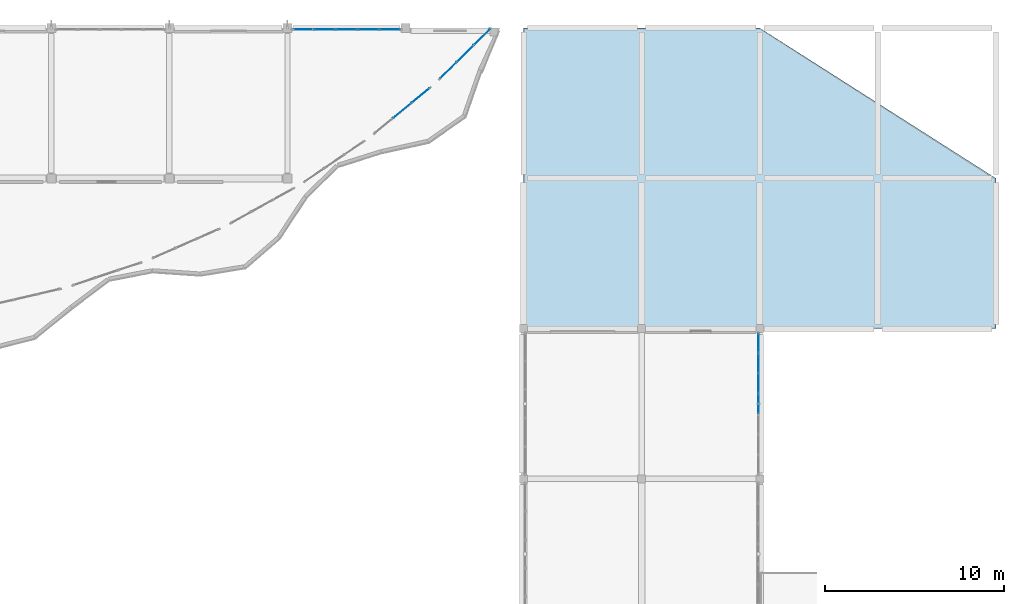
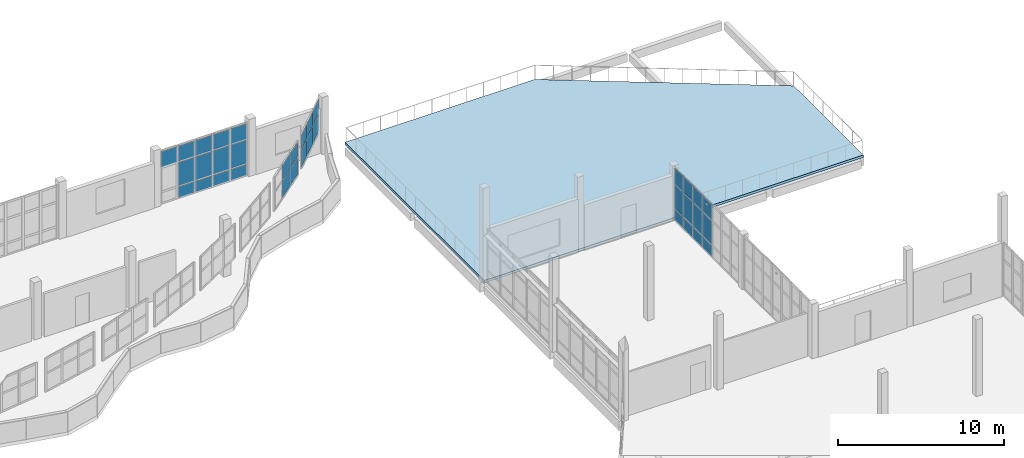
# One storey, part 54 of 78: 35 plates, 1 slab, 4 elements without a shape of their own.
"""IFC4 building model written with IfcOpenShell, lengths in metres."""

from ifc_helpers import new_model, si_unit, direction, frame, origin, origin_2d, place, context, subcontext, project, spatial, polyline, rectangle, outline, extrude, material, layer, layer_set, type_object, element, aggregate, save


model = new_model("IFC4")

# Units and contexts
model_context = context("Model", 3, precision=1e-05, world=origin(), true_north=direction((0.0, 1.0)))
body_context = subcontext(model_context, "Body", "Model", "MODEL_VIEW")
ifc_project = project(units=[si_unit("LENGTHUNIT", "METRE"), si_unit("AREAUNIT", "SQUARE_METRE"), si_unit("VOLUMEUNIT", "CUBIC_METRE"), si_unit("PLANEANGLEUNIT", "RADIAN"), si_unit("MASSUNIT", "GRAM", prefix="KILO")], contexts=[model_context])

# Site, building, storey
site_placement = place(None, origin())
site = spatial("IfcSite", under=ifc_project, at=site_placement, CompositionType="ELEMENT")
building_placement = place(site_placement, origin())
building = spatial("IfcBuilding", under=site, at=building_placement, Name="Qaldarim Faculty of Natural and Applied Sciences", CompositionType="ELEMENT")
storey_placement = place(building_placement, frame((0.0, 0.0, 18.60009765625)))
storey = spatial("IfcBuildingStorey", under=building, at=storey_placement, Name="L04", CompositionType="ELEMENT", Elevation=18.60009765625)

# Curtain wall, plates
ifc_material_1 = material(Name="Anodised aluminium AW-6063", Category="aluminium")
curtain_wall_type_1 = type_object("IfcCurtainWallType", Name="CurtainWallSystem-M1200", PredefinedType="USERDEFINED", material=ifc_material_1)
curtain_wall_1_placement = place(storey_placement, origin())
curtain_wall_1 = element("IfcCurtainWall", 1, at=curtain_wall_1_placement, inside=storey, type_object=curtain_wall_type_1, Name="Curtain wall CW-L04-N-X22Y14", ObjectType="STICK CURTAIN WALL", PredefinedType="USERDEFINED")
ifc_material_2 = material(Name="Insulated low-e double glazing", Category="glass")
ifc_layer_1 = layer(ifc_material_2, 0.031982421875)
ifc_layer_set_1 = layer_set([ifc_layer_1], Name="Insulated low-e double glazing")
plate_type_1 = type_object("IfcPlateType", Name="SolarControlGlazingPanel-32", PredefinedType="CURTAIN_PANEL", material=ifc_layer_set_1)
plate_1_placement = place(storey_placement, frame((144.326416015625, 117.52001953125, 0.06982421875), z_axis=(0.0, 0.0, 1.0), x_axis=(-1.0, 0.0, 0.0)))
plate_1 = element("IfcPlate", 2, at=plate_1_placement, type_object=plate_type_1, Name="Glazed panel 1-1 of CW-L04-N-X22Y14", PredefinedType="CURTAIN_PANEL", context=body_context, shape_type="SweptSolid", body=[
    extrude(rectangle(XDim=1.116943359375, YDim=0.031982421875, at=origin_2d()), origin(), (0.0, 0.0, 1.0), 0.794921875),
])
plate_2_placement = place(storey_placement, frame((144.326416015625, 117.52001953125, 0.934814453125), z_axis=(0.0, 0.0, 1.0), x_axis=(-1.0, 0.0, 0.0)))
plate_2 = element("IfcPlate", 3, at=plate_2_placement, type_object=plate_type_1, Name="Glazed panel 1-2 of CW-L04-N-X22Y14", PredefinedType="CURTAIN_PANEL", context=body_context, shape_type="SweptSolid", body=[
    extrude(rectangle(XDim=1.116943359375, YDim=0.031982421875, at=origin_2d()), origin(), (0.0, 0.0, 1.0), 1.72998046875),
])
plate_3_placement = place(storey_placement, frame((144.326416015625, 117.52001953125, 2.73486328125), z_axis=(0.0, 0.0, 1.0), x_axis=(-1.0, 0.0, 0.0)))
plate_3 = element("IfcPlate", 4, at=plate_3_placement, type_object=plate_type_1, Name="Glazed panel 1-3 of CW-L04-N-X22Y14", PredefinedType="CURTAIN_PANEL", context=body_context, shape_type="SweptSolid", body=[
    extrude(rectangle(XDim=1.116943359375, YDim=0.031982421875, at=origin_2d()), origin(), (0.0, 0.0, 1.0), 1.135009765625),
])
plate_4_placement = place(storey_placement, frame((143.1220703125, 117.52001953125, 0.06982421875), z_axis=(0.0, 0.0, 1.0), x_axis=(-1.0, 0.0, 0.0)))
plate_4 = element("IfcPlate", 5, at=plate_4_placement, type_object=plate_type_1, Name="Glazed panel 2-1 of CW-L04-N-X22Y14", PredefinedType="CURTAIN_PANEL", context=body_context, shape_type="SweptSolid", body=[
    extrude(rectangle(XDim=1.152099609375, YDim=0.031982421875, at=origin_2d()), origin(), (0.0, 0.0, 1.0), 0.794921875),
])
plate_5_placement = place(storey_placement, frame((143.1220703125, 117.52001953125, 0.934814453125), z_axis=(0.0, 0.0, 1.0), x_axis=(-1.0, 0.0, 0.0)))
plate_5 = element("IfcPlate", 6, at=plate_5_placement, type_object=plate_type_1, Name="Glazed panel 2-2 of CW-L04-N-X22Y14", PredefinedType="CURTAIN_PANEL", context=body_context, shape_type="SweptSolid", body=[
    extrude(rectangle(XDim=1.152099609375, YDim=0.031982421875, at=origin_2d()), origin(), (0.0, 0.0, 1.0), 1.72998046875),
])
plate_6_placement = place(storey_placement, frame((143.1220703125, 117.52001953125, 2.73486328125), z_axis=(0.0, 0.0, 1.0), x_axis=(-1.0, 0.0, 0.0)))
plate_6 = element("IfcPlate", 7, at=plate_6_placement, type_object=plate_type_1, Name="Glazed panel 2-3 of CW-L04-N-X22Y14", PredefinedType="CURTAIN_PANEL", context=body_context, shape_type="SweptSolid", body=[
    extrude(rectangle(XDim=1.152099609375, YDim=0.031982421875, at=origin_2d()), origin(), (0.0, 0.0, 1.0), 1.135009765625),
])
plate_7_placement = place(storey_placement, frame((141.89990234375, 117.52001953125, 0.06982421875), z_axis=(0.0, 0.0, 1.0), x_axis=(-1.0, 0.0, 0.0)))
plate_7 = element("IfcPlate", 8, at=plate_7_placement, type_object=plate_type_1, Name="Glazed panel 3-1 of CW-L04-N-X22Y14", PredefinedType="CURTAIN_PANEL", context=body_context, shape_type="SweptSolid", body=[
    extrude(rectangle(XDim=1.152099609375, YDim=0.031982421875, at=origin_2d()), origin(), (0.0, 0.0, 1.0), 0.794921875),
])
plate_8_placement = place(storey_placement, frame((141.89990234375, 117.52001953125, 0.934814453125), z_axis=(0.0, 0.0, 1.0), x_axis=(-1.0, 0.0, 0.0)))
plate_8 = element("IfcPlate", 9, at=plate_8_placement, type_object=plate_type_1, Name="Glazed panel 3-2 of CW-L04-N-X22Y14", PredefinedType="CURTAIN_PANEL", context=body_context, shape_type="SweptSolid", body=[
    extrude(rectangle(XDim=1.152099609375, YDim=0.031982421875, at=origin_2d()), origin(), (0.0, 0.0, 1.0), 1.72998046875),
])
plate_9_placement = place(storey_placement, frame((141.89990234375, 117.52001953125, 2.73486328125), z_axis=(0.0, 0.0, 1.0), x_axis=(-1.0, 0.0, 0.0)))
plate_9 = element("IfcPlate", 10, at=plate_9_placement, type_object=plate_type_1, Name="Glazed panel 3-3 of CW-L04-N-X22Y14", PredefinedType="CURTAIN_PANEL", context=body_context, shape_type="SweptSolid", body=[
    extrude(rectangle(XDim=1.152099609375, YDim=0.031982421875, at=origin_2d()), origin(), (0.0, 0.0, 1.0), 1.135009765625),
])
plate_10_placement = place(storey_placement, frame((140.677978515625, 117.52001953125, 0.06982421875), z_axis=(0.0, 0.0, 1.0), x_axis=(-1.0, 0.0, 0.0)))
plate_10 = element("IfcPlate", 11, at=plate_10_placement, type_object=plate_type_1, Name="Glazed panel 4-1 of CW-L04-N-X22Y14", PredefinedType="CURTAIN_PANEL", context=body_context, shape_type="SweptSolid", body=[
    extrude(rectangle(XDim=1.152099609375, YDim=0.031982421875, at=origin_2d()), origin(), (0.0, 0.0, 1.0), 0.794921875),
])
plate_11_placement = place(storey_placement, frame((140.677978515625, 117.52001953125, 0.934814453125), z_axis=(0.0, 0.0, 1.0), x_axis=(-1.0, 0.0, 0.0)))
plate_11 = element("IfcPlate", 12, at=plate_11_placement, type_object=plate_type_1, Name="Glazed panel 4-2 of CW-L04-N-X22Y14", PredefinedType="CURTAIN_PANEL", context=body_context, shape_type="SweptSolid", body=[
    extrude(rectangle(XDim=1.152099609375, YDim=0.031982421875, at=origin_2d()), origin(), (0.0, 0.0, 1.0), 1.72998046875),
])
plate_12_placement = place(storey_placement, frame((140.677978515625, 117.52001953125, 2.73486328125), z_axis=(0.0, 0.0, 1.0), x_axis=(-1.0, 0.0, 0.0)))
plate_12 = element("IfcPlate", 13, at=plate_12_placement, type_object=plate_type_1, Name="Glazed panel 4-3 of CW-L04-N-X22Y14", PredefinedType="CURTAIN_PANEL", context=body_context, shape_type="SweptSolid", body=[
    extrude(rectangle(XDim=1.152099609375, YDim=0.031982421875, at=origin_2d()), origin(), (0.0, 0.0, 1.0), 1.135009765625),
])
plate_13_placement = place(storey_placement, frame((139.473388671875, 117.52001953125, 2.73486328125), z_axis=(0.0, 0.0, 1.0), x_axis=(-1.0, 0.0, 0.0)))
plate_13 = element("IfcPlate", 14, at=plate_13_placement, type_object=plate_type_1, Name="Glazed panel 5-3 of CW-L04-N-X22Y14", PredefinedType="CURTAIN_PANEL", context=body_context, shape_type="SweptSolid", body=[
    extrude(rectangle(XDim=1.116943359375, YDim=0.031982421875, at=origin_2d()), origin(), (0.0, 0.0, 1.0), 1.135009765625),
])
aggregate(curtain_wall_1, [plate_1, plate_2, plate_3, plate_4, plate_5, plate_6, plate_7, plate_8, plate_9, plate_10, plate_11, plate_12, plate_13])

curtain_wall_2_placement = place(storey_placement, origin())
curtain_wall_2 = element("IfcCurtainWall", 15, at=curtain_wall_2_placement, inside=storey, type_object=curtain_wall_type_1, Name="Curtain wall CW-L04-E-X25Y12", ObjectType="STICK CURTAIN WALL", PredefinedType="USERDEFINED")
plate_14_placement = place(storey_placement, frame((164.919921875, 96.60009765625, 0.06982421875), z_axis=(0.0, 0.0, 1.0), x_axis=(0.0, 1.0, 0.0)))
plate_14 = element("IfcPlate", 16, at=plate_14_placement, type_object=plate_type_1, Name="Glazed panel 4-1 of CW-L04-E-X25Y12", PredefinedType="CURTAIN_PANEL", context=body_context, shape_type="SweptSolid", body=[
    extrude(rectangle(XDim=1.067138671875, YDim=0.031982421875, at=origin_2d()), origin(), (0.0, 0.0, 1.0), 0.794921875),
])
plate_15_placement = place(storey_placement, frame((164.919921875, 96.60009765625, 0.934814453125), z_axis=(0.0, 0.0, 1.0), x_axis=(0.0, 1.0, 0.0)))
plate_15 = element("IfcPlate", 17, at=plate_15_placement, type_object=plate_type_1, Name="Glazed panel 4-2 of CW-L04-E-X25Y12", PredefinedType="CURTAIN_PANEL", context=body_context, shape_type="SweptSolid", body=[
    extrude(rectangle(XDim=1.067138671875, YDim=0.031982421875, at=origin_2d()), origin(), (0.0, 0.0, 1.0), 1.72998046875),
])
plate_16_placement = place(storey_placement, frame((164.919921875, 96.60009765625, 2.73486328125), z_axis=(0.0, 0.0, 1.0), x_axis=(0.0, 1.0, 0.0)))
plate_16 = element("IfcPlate", 18, at=plate_16_placement, type_object=plate_type_1, Name="Glazed panel 4-3 of CW-L04-E-X25Y12", PredefinedType="CURTAIN_PANEL", context=body_context, shape_type="SweptSolid", body=[
    extrude(rectangle(XDim=1.067138671875, YDim=0.031982421875, at=origin_2d()), origin(), (0.0, 0.0, 1.0), 1.135009765625),
])
plate_17_placement = place(storey_placement, frame((164.919921875, 97.737060546875, 0.06982421875), z_axis=(0.0, 0.0, 1.0), x_axis=(0.0, 1.0, 0.0)))
plate_17 = element("IfcPlate", 19, at=plate_17_placement, type_object=plate_type_1, Name="Glazed panel 5-1 of CW-L04-E-X25Y12", PredefinedType="CURTAIN_PANEL", context=body_context, shape_type="SweptSolid", body=[
    extrude(rectangle(XDim=1.067138671875, YDim=0.031982421875, at=origin_2d()), origin(), (0.0, 0.0, 1.0), 0.794921875),
])
plate_18_placement = place(storey_placement, frame((164.919921875, 97.737060546875, 0.934814453125), z_axis=(0.0, 0.0, 1.0), x_axis=(0.0, 1.0, 0.0)))
plate_18 = element("IfcPlate", 20, at=plate_18_placement, type_object=plate_type_1, Name="Glazed panel 5-2 of CW-L04-E-X25Y12", PredefinedType="CURTAIN_PANEL", context=body_context, shape_type="SweptSolid", body=[
    extrude(rectangle(XDim=1.067138671875, YDim=0.031982421875, at=origin_2d()), origin(), (0.0, 0.0, 1.0), 1.72998046875),
])
plate_19_placement = place(storey_placement, frame((164.919921875, 97.737060546875, 2.73486328125), z_axis=(0.0, 0.0, 1.0), x_axis=(0.0, 1.0, 0.0)))
plate_19 = element("IfcPlate", 21, at=plate_19_placement, type_object=plate_type_1, Name="Glazed panel 5-3 of CW-L04-E-X25Y12", PredefinedType="CURTAIN_PANEL", context=body_context, shape_type="SweptSolid", body=[
    extrude(rectangle(XDim=1.067138671875, YDim=0.031982421875, at=origin_2d()), origin(), (0.0, 0.0, 1.0), 1.135009765625),
])
plate_20_placement = place(storey_placement, frame((164.919921875, 98.874267578125, 0.06982421875), z_axis=(0.0, 0.0, 1.0), x_axis=(0.0, 1.0, 0.0)))
plate_20 = element("IfcPlate", 22, at=plate_20_placement, type_object=plate_type_1, Name="Glazed panel 6-1 of CW-L04-E-X25Y12", PredefinedType="CURTAIN_PANEL", context=body_context, shape_type="SweptSolid", body=[
    extrude(rectangle(XDim=1.067138671875, YDim=0.031982421875, at=origin_2d()), origin(), (0.0, 0.0, 1.0), 0.794921875),
])
plate_21_placement = place(storey_placement, frame((164.919921875, 98.874267578125, 0.934814453125), z_axis=(0.0, 0.0, 1.0), x_axis=(0.0, 1.0, 0.0)))
plate_21 = element("IfcPlate", 23, at=plate_21_placement, type_object=plate_type_1, Name="Glazed panel 6-2 of CW-L04-E-X25Y12", PredefinedType="CURTAIN_PANEL", context=body_context, shape_type="SweptSolid", body=[
    extrude(rectangle(XDim=1.067138671875, YDim=0.031982421875, at=origin_2d()), origin(), (0.0, 0.0, 1.0), 1.72998046875),
])
plate_22_placement = place(storey_placement, frame((164.919921875, 98.874267578125, 2.73486328125), z_axis=(0.0, 0.0, 1.0), x_axis=(0.0, 1.0, 0.0)))
plate_22 = element("IfcPlate", 24, at=plate_22_placement, type_object=plate_type_1, Name="Glazed panel 6-3 of CW-L04-E-X25Y12", PredefinedType="CURTAIN_PANEL", context=body_context, shape_type="SweptSolid", body=[
    extrude(rectangle(XDim=1.067138671875, YDim=0.031982421875, at=origin_2d()), origin(), (0.0, 0.0, 1.0), 1.135009765625),
])
plate_23_placement = place(storey_placement, frame((164.919921875, 99.993896484375, 0.06982421875), z_axis=(0.0, 0.0, 1.0), x_axis=(0.0, 1.0, 0.0)))
plate_23 = element("IfcPlate", 25, at=plate_23_placement, type_object=plate_type_1, Name="Glazed panel 7-1 of CW-L04-E-X25Y12", PredefinedType="CURTAIN_PANEL", context=body_context, shape_type="SweptSolid", body=[
    extrude(rectangle(XDim=1.031982421875, YDim=0.031982421875, at=origin_2d()), origin(), (0.0, 0.0, 1.0), 0.794921875),
])
plate_24_placement = place(storey_placement, frame((164.919921875, 99.993896484375, 0.934814453125), z_axis=(0.0, 0.0, 1.0), x_axis=(0.0, 1.0, 0.0)))
plate_24 = element("IfcPlate", 26, at=plate_24_placement, type_object=plate_type_1, Name="Glazed panel 7-2 of CW-L04-E-X25Y12", PredefinedType="CURTAIN_PANEL", context=body_context, shape_type="SweptSolid", body=[
    extrude(rectangle(XDim=1.031982421875, YDim=0.031982421875, at=origin_2d()), origin(), (0.0, 0.0, 1.0), 1.72998046875),
])
plate_25_placement = place(storey_placement, frame((164.919921875, 99.993896484375, 2.73486328125), z_axis=(0.0, 0.0, 1.0), x_axis=(0.0, 1.0, 0.0)))
plate_25 = element("IfcPlate", 27, at=plate_25_placement, type_object=plate_type_1, Name="Glazed panel 7-3 of CW-L04-E-X25Y12", PredefinedType="CURTAIN_PANEL", context=body_context, shape_type="SweptSolid", body=[
    extrude(rectangle(XDim=1.031982421875, YDim=0.031982421875, at=origin_2d()), origin(), (0.0, 0.0, 1.0), 1.135009765625),
])
aggregate(curtain_wall_2, [plate_14, plate_15, plate_16, plate_17, plate_18, plate_19, plate_20, plate_21, plate_22, plate_23, plate_24, plate_25])

# Slab
ifc_material_3 = material(Name="Concrete C40/50", Category="concrete")
ifc_layer_2 = layer(ifc_material_3, 0.179931640625)
ifc_layer_set_2 = layer_set([ifc_layer_2], Name="Concrete C40/50")
slab_type = type_object("IfcSlabType", Name="TerraceBalconySlab-180", PredefinedType="FLOOR", material=ifc_layer_set_2)
slab_placement = place(storey_placement, frame((0.0, 0.0, -0.18017578125)))
element("IfcSlab", 28, at=slab_placement, inside=storey, type_object=slab_type, Name="Academic outdoor terrace L04 V3-GARDEN-TERRACE", PredefinedType="FLOOR", context=body_context, shape_type="SweptSolid", body=[
    extrude(outline(polyline([(151.800048828125, 100.800048828125), (178.199951171875, 100.800048828125), (178.199951171875, 109.199951171875), (165.0, 117.60009765625), (151.800048828125, 117.60009765625), (151.800048828125, 100.800048828125)])), origin(), (0.0, 0.0, 1.0), 0.18017578125),
])

# Curtain wall, plates
curtain_wall_type_2 = type_object("IfcCurtainWallType", Name="CurtainWallSystem-M1400", PredefinedType="USERDEFINED", material=ifc_material_1)
curtain_wall_3_placement = place(storey_placement, origin())
curtain_wall_3 = element("IfcCurtainWall", 29, at=curtain_wall_3_placement, inside=storey, type_object=curtain_wall_type_2, Name="Curtain wall CW-V4ARC-L04-14", ObjectType="STICK CURTAIN WALL", PredefinedType="USERDEFINED")
ifc_layer_3 = layer(ifc_material_2, 0.028076171875)
ifc_layer_set_3 = layer_set([ifc_layer_3], Name="Insulated low-e double glazing")
plate_type_2 = type_object("IfcPlateType", Name="VisionGlazingPanel-28", PredefinedType="CURTAIN_PANEL", material=ifc_layer_set_3)
plate_26_placement = place(storey_placement, frame((145.017578125, 112.987548828125, 1.509765625), z_axis=(0.0, 0.0, 1.0), x_axis=(0.771746687418, 0.635930067271, 0.0)))
plate_26 = element("IfcPlate", 30, at=plate_26_placement, type_object=plate_type_2, Name="Glazed panel 2-1 of CW-V4ARC-L04-14", PredefinedType="CURTAIN_PANEL", context=body_context, shape_type="SweptSolid", body=[
    extrude(rectangle(XDim=1.289794921875, YDim=0.028076171875, at=origin_2d()), origin(), (0.0, 0.0, 1.0), 1.260009765625),
])
plate_27_placement = place(storey_placement, frame((145.017578125, 112.987548828125, 2.830078125), z_axis=(0.0, 0.0, 1.0), x_axis=(0.771746687418, 0.635930067271, 0.0)))
plate_27 = element("IfcPlate", 31, at=plate_27_placement, type_object=plate_type_2, Name="Glazed panel 2-2 of CW-V4ARC-L04-14", PredefinedType="CURTAIN_PANEL", context=body_context, shape_type="SweptSolid", body=[
    extrude(rectangle(XDim=1.289794921875, YDim=0.028076171875, at=origin_2d()), origin(), (0.0, 0.0, 1.0), 1.050048828125),
])
plate_28_placement = place(storey_placement, frame((146.047607421875, 113.836181640625, 1.509765625), z_axis=(0.0, 0.0, 1.0), x_axis=(0.771746687418, 0.635930067271, 0.0)))
plate_28 = element("IfcPlate", 32, at=plate_28_placement, type_object=plate_type_2, Name="Glazed panel 3-1 of CW-V4ARC-L04-14", PredefinedType="CURTAIN_PANEL", context=body_context, shape_type="SweptSolid", body=[
    extrude(rectangle(XDim=1.259765625, YDim=0.028076171875, at=origin_2d()), origin(), (0.0, 0.0, 1.0), 1.260009765625),
])
plate_29_placement = place(storey_placement, frame((146.047607421875, 113.836181640625, 2.830078125), z_axis=(0.0, 0.0, 1.0), x_axis=(0.771746687418, 0.635930067271, 0.0)))
plate_29 = element("IfcPlate", 33, at=plate_29_placement, type_object=plate_type_2, Name="Glazed panel 3-2 of CW-V4ARC-L04-14", PredefinedType="CURTAIN_PANEL", context=body_context, shape_type="SweptSolid", body=[
    extrude(rectangle(XDim=1.259765625, YDim=0.028076171875, at=origin_2d()), origin(), (0.0, 0.0, 1.0), 1.050048828125),
])
aggregate(curtain_wall_3, [plate_26, plate_27, plate_28, plate_29])

curtain_wall_4_placement = place(storey_placement, origin())
curtain_wall_4 = element("IfcCurtainWall", 34, at=curtain_wall_4_placement, inside=storey, type_object=curtain_wall_type_2, Name="Curtain wall CW-V4ARC-L04-16", ObjectType="STICK CURTAIN WALL", PredefinedType="USERDEFINED")
plate_30_placement = place(storey_placement, frame((147.584716796875, 115.2255859375, 1.509765625), z_axis=(0.0, 0.0, 1.0), x_axis=(0.710185375623, 0.704014724456, 0.0)))
plate_30 = element("IfcPlate", 35, at=plate_30_placement, type_object=plate_type_2, Name="Glazed panel 1-1 of CW-V4ARC-L04-16", PredefinedType="CURTAIN_PANEL", context=body_context, shape_type="SweptSolid", body=[
    extrude(rectangle(XDim=1.259521484375, YDim=0.028076171875, at=origin_2d()), origin(), (0.0, 0.0, 1.0), 1.260009765625),
])
plate_31_placement = place(storey_placement, frame((147.584716796875, 115.2255859375, 2.830078125), z_axis=(0.0, 0.0, 1.0), x_axis=(0.710185375623, 0.704014724456, 0.0)))
plate_31 = element("IfcPlate", 36, at=plate_31_placement, type_object=plate_type_2, Name="Glazed panel 1-2 of CW-V4ARC-L04-16", PredefinedType="CURTAIN_PANEL", context=body_context, shape_type="SweptSolid", body=[
    extrude(rectangle(XDim=1.259521484375, YDim=0.028076171875, at=origin_2d()), origin(), (0.0, 0.0, 1.0), 1.050048828125),
])
plate_32_placement = place(storey_placement, frame((148.532470703125, 116.1650390625, 1.509765625), z_axis=(0.0, 0.0, 1.0), x_axis=(0.710185375623, 0.704014724456, 0.0)))
plate_32 = element("IfcPlate", 37, at=plate_32_placement, type_object=plate_type_2, Name="Glazed panel 2-1 of CW-V4ARC-L04-16", PredefinedType="CURTAIN_PANEL", context=body_context, shape_type="SweptSolid", body=[
    extrude(rectangle(XDim=1.289306640625, YDim=0.028076171875, at=origin_2d()), origin(), (0.0, 0.0, 1.0), 1.260009765625),
])
plate_33_placement = place(storey_placement, frame((148.532470703125, 116.1650390625, 2.830078125), z_axis=(0.0, 0.0, 1.0), x_axis=(0.710185375623, 0.704014724456, 0.0)))
plate_33 = element("IfcPlate", 38, at=plate_33_placement, type_object=plate_type_2, Name="Glazed panel 2-2 of CW-V4ARC-L04-16", PredefinedType="CURTAIN_PANEL", context=body_context, shape_type="SweptSolid", body=[
    extrude(rectangle(XDim=1.289306640625, YDim=0.028076171875, at=origin_2d()), origin(), (0.0, 0.0, 1.0), 1.050048828125),
])
plate_34_placement = place(storey_placement, frame((149.480224609375, 117.1044921875, 1.509765625), z_axis=(0.0, 0.0, 1.0), x_axis=(0.710185375623, 0.704014724456, 0.0)))
plate_34 = element("IfcPlate", 39, at=plate_34_placement, type_object=plate_type_2, Name="Glazed panel 3-1 of CW-V4ARC-L04-16", PredefinedType="CURTAIN_PANEL", context=body_context, shape_type="SweptSolid", body=[
    extrude(rectangle(XDim=1.259521484375, YDim=0.028076171875, at=origin_2d()), origin(), (0.0, 0.0, 1.0), 1.260009765625),
])
plate_35_placement = place(storey_placement, frame((149.480224609375, 117.1044921875, 2.830078125), z_axis=(0.0, 0.0, 1.0), x_axis=(0.710185375623, 0.704014724456, 0.0)))
plate_35 = element("IfcPlate", 40, at=plate_35_placement, type_object=plate_type_2, Name="Glazed panel 3-2 of CW-V4ARC-L04-16", PredefinedType="CURTAIN_PANEL", context=body_context, shape_type="SweptSolid", body=[
    extrude(rectangle(XDim=1.259521484375, YDim=0.028076171875, at=origin_2d()), origin(), (0.0, 0.0, 1.0), 1.050048828125),
])
aggregate(curtain_wall_4, [plate_30, plate_31, plate_32, plate_33, plate_34, plate_35])

save(model, "model.ifc")
